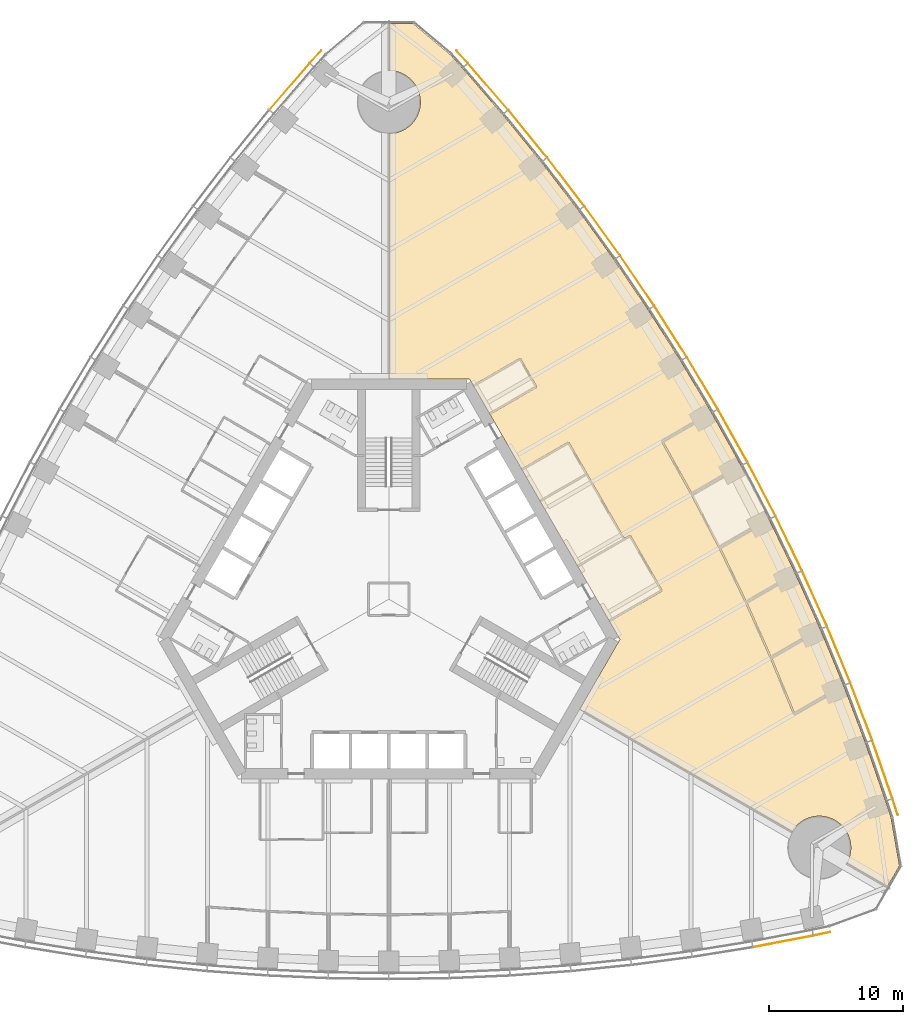
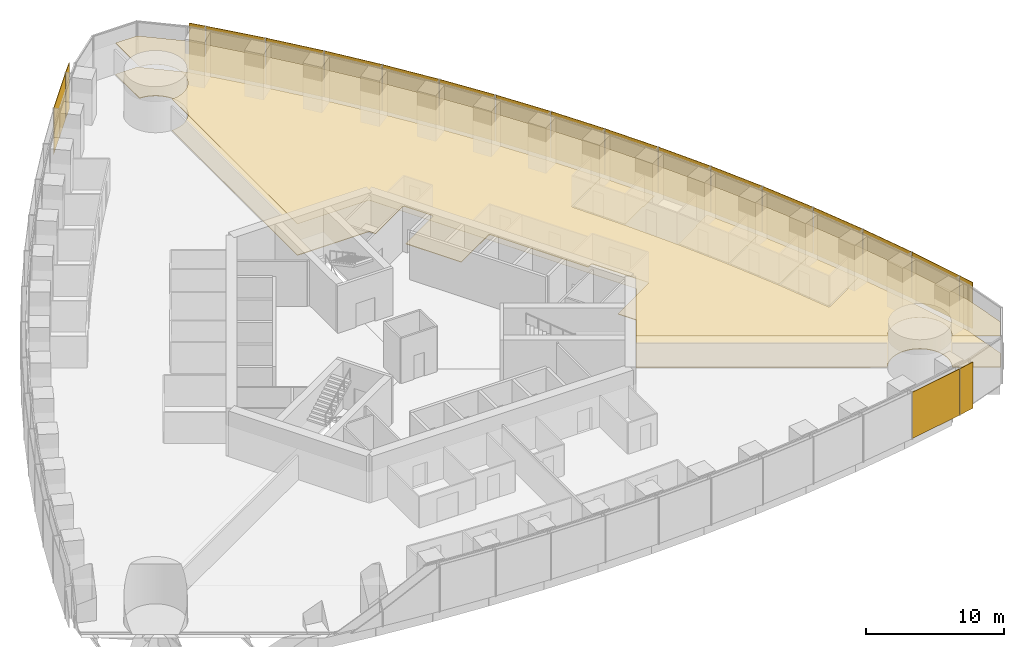
# One storey, part 16 of 18: 20 shading devices, 6 coverings.
"""IFC4 building model written with IfcOpenShell, lengths in metres."""

from ifc_helpers import new_model, si_unit, direction, frame, origin, origin_2d, place, context, subcontext, project, spatial, polyline, rectangle, outline, extrude, material, layer, layer_set, type_object, element, save


model = new_model("IFC4")

# Units and contexts
model_context = context("Model", 3, precision=1e-05, world=origin(), true_north=direction((0.0, 1.0)))
body_context = subcontext(model_context, "Body", "Model", "MODEL_VIEW")
ifc_project = project(units=[si_unit("LENGTHUNIT", "METRE"), si_unit("AREAUNIT", "SQUARE_METRE"), si_unit("VOLUMEUNIT", "CUBIC_METRE"), si_unit("PLANEANGLEUNIT", "RADIAN"), si_unit("MASSUNIT", "GRAM", prefix="KILO")], contexts=[model_context])

# Site, building, storey
site_placement = place(None, origin())
site = spatial("IfcSite", under=ifc_project, at=site_placement, CompositionType="ELEMENT")
building_placement = place(site_placement, origin())
building = spatial("IfcBuilding", under=site, at=building_placement, Name="Trefoil Bronze Tower", CompositionType="ELEMENT")
storey_placement = place(building_placement, frame((0.0, 0.0, 29.10009765625)))
storey = spatial("IfcBuildingStorey", under=building, at=storey_placement, Name="L06", CompositionType="ELEMENT", Elevation=29.10009765625)

# Shading devices
ifc_material_1 = material(Name="Perforated bronze sheet", Category="bronze")
ifc_layer_1 = layer(ifc_material_1, 0.0400390625)
ifc_layer_set_1 = layer_set([ifc_layer_1], Name="Bronze solar screen panel")
shading_device_type = type_object("IfcShadingDeviceType", Name="Bronze solar screen panel", PredefinedType="SHUTTER", material=ifc_layer_set_1)
shading_device_1_placement = place(storey_placement, frame((29.351806640625, -25.478515625, 0.0498046875), z_axis=(0.0, 0.0, 1.0), x_axis=(0.982049823817, 0.188621694249, 0.0)))
element("IfcShadingDevice", 1, at=shading_device_1_placement, inside=storey, type_object=shading_device_type, Name="Solar screen CW-A L06 F1 bay 15", PredefinedType="SHUTTER", context=body_context, shape_type="SweptSolid", body=[
    extrude(rectangle(XDim=4.55224609375, YDim=0.0400390625, at=origin_2d()), origin(), (0.0, 0.0, 1.0), 4.10009765625),
])
for number, where, z_axis, x_axis, name in (
    (2, (32.2431640625, -24.91064453125, 0.0498046875), (0.0, 0.0, 1.0), (0.978302717041, 0.207180582657, 0.0), "Solar screen CW-A L06 F1 bay 16"),
    (3, (37.69482421875, -15.468017578125, 0.0498046875), (0.0, 0.0, 1.0), (-0.309727710769, 0.950825296877, 0.0), "Solar screen CW-A L06 F2 bay 1"),
):
    element("IfcShadingDevice", number, at=place(storey_placement, frame(where, z_axis=z_axis, x_axis=x_axis)), inside=storey, type_object=shading_device_type, Name=name, PredefinedType="SHUTTER", context=body_context, shape_type="SweptSolid", body=[
        extrude(rectangle(XDim=1.260498046875, YDim=0.0400390625, at=origin_2d()), origin(), (0.0, 0.0, 1.0), 4.10009765625),
    ])
shading_device_2_placement = place(storey_placement, frame((36.740966796875, -12.68017578125, 0.0498046875), z_axis=(0.0, 0.0, 1.0), x_axis=(-0.327673732984, 0.944790942332, 0.0)))
element("IfcShadingDevice", 4, at=shading_device_2_placement, inside=storey, type_object=shading_device_type, Name="Solar screen CW-A L06 F2 bay 2", PredefinedType="SHUTTER", context=body_context, shape_type="SweptSolid", body=[
    extrude(rectangle(XDim=4.55224609375, YDim=0.0400390625, at=origin_2d()), origin(), (0.0, 0.0, 1.0), 4.10009765625),
])
shading_device_3_placement = place(storey_placement, frame((35.1748046875, -8.3701171875, 0.0498046875), z_axis=(0.0, 0.0, 1.0), x_axis=(-0.355370585687, 0.934725492767, 0.0)))
element("IfcShadingDevice", 5, at=shading_device_3_placement, inside=storey, type_object=shading_device_type, Name="Solar screen CW-A L06 F2 bay 3", PredefinedType="SHUTTER", context=body_context, shape_type="SweptSolid", body=[
    extrude(rectangle(XDim=4.5283203125, YDim=0.0400390625, at=origin_2d()), origin(), (0.0, 0.0, 1.0), 4.10009765625),
])
shading_device_4_placement = place(storey_placement, frame((33.49072265625, -4.128173828125, 0.0498046875), z_axis=(0.0, 0.0, 1.0), x_axis=(-0.382629580712, 0.923901836758, 0.0)))
element("IfcShadingDevice", 6, at=shading_device_4_placement, inside=storey, type_object=shading_device_type, Name="Solar screen CW-A L06 F2 bay 4", PredefinedType="SHUTTER", context=body_context, shape_type="SweptSolid", body=[
    extrude(rectangle(XDim=4.5087890625, YDim=0.0400390625, at=origin_2d()), origin(), (0.0, 0.0, 1.0), 4.10009765625),
])
shading_device_5_placement = place(storey_placement, frame((31.68994140625, 0.04638671875, 0.0498046875), z_axis=(0.0, 0.0, 1.0), x_axis=(-0.40945635808, 0.912329705111, 0.0)))
element("IfcShadingDevice", 7, at=shading_device_5_placement, inside=storey, type_object=shading_device_type, Name="Solar screen CW-A L06 F2 bay 5", PredefinedType="SHUTTER", context=body_context, shape_type="SweptSolid", body=[
    extrude(rectangle(XDim=4.493408203125, YDim=0.0400390625, at=origin_2d()), origin(), (0.0, 0.0, 1.0), 4.10009765625),
])
shading_device_6_placement = place(storey_placement, frame((29.77392578125, 4.154541015625, 0.0498046875), z_axis=(0.0, 0.0, 1.0), x_axis=(-0.4358553457, 0.900016731858, 0.0)))
element("IfcShadingDevice", 8, at=shading_device_6_placement, inside=storey, type_object=shading_device_type, Name="Solar screen CW-A L06 F2 bay 6", PredefinedType="SHUTTER", context=body_context, shape_type="SweptSolid", body=[
    extrude(rectangle(XDim=4.48193359375, YDim=0.0400390625, at=origin_2d()), origin(), (0.0, 0.0, 1.0), 4.10009765625),
])
shading_device_7_placement = place(storey_placement, frame((27.74365234375, 8.1962890625, 0.0498046875), z_axis=(0.0, 0.0, 1.0), x_axis=(-0.46182981834, 0.886968555752, 0.0)))
element("IfcShadingDevice", 9, at=shading_device_7_placement, inside=storey, type_object=shading_device_type, Name="Solar screen CW-A L06 F2 bay 7", PredefinedType="SHUTTER", context=body_context, shape_type="SweptSolid", body=[
    extrude(rectangle(XDim=4.474365234375, YDim=0.0400390625, at=origin_2d()), origin(), (0.0, 0.0, 1.0), 4.10009765625),
])
for number, where, z_axis, x_axis, name in (
    (10, (25.599365234375, 12.172607421875, 0.0498046875), (0.0, 0.0, 1.0), (-0.487381940453, 0.873188893722, 0.0), "Solar screen CW-A L06 F2 bay 8"),
    (11, (23.341552734375, 16.083251953125, 0.0498046875), (0.0, 0.0, 1.0), (-0.51251279404, 0.858679588639, 0.0), "Solar screen CW-A L06 F2 bay 9"),
):
    element("IfcShadingDevice", number, at=place(storey_placement, frame(where, z_axis=z_axis, x_axis=x_axis)), inside=storey, type_object=shading_device_type, Name=name, PredefinedType="SHUTTER", context=body_context, shape_type="SweptSolid", body=[
        extrude(rectangle(XDim=4.470458984375, YDim=0.0400390625, at=origin_2d()), origin(), (0.0, 0.0, 1.0), 4.10009765625),
    ])
shading_device_8_placement = place(storey_placement, frame((20.97021484375, 19.928466796875, 0.0498046875), z_axis=(0.0, 0.0, 1.0), x_axis=(-0.537222392469, 0.843440632783, 0.0)))
element("IfcShadingDevice", 12, at=shading_device_8_placement, inside=storey, type_object=shading_device_type, Name="Solar screen CW-A L06 F2 bay 10", PredefinedType="SHUTTER", context=body_context, shape_type="SweptSolid", body=[
    extrude(rectangle(XDim=4.474365234375, YDim=0.0400390625, at=origin_2d()), origin(), (0.0, 0.0, 1.0), 4.10009765625),
])
shading_device_9_placement = place(storey_placement, frame((18.48486328125, 23.707763671875, 0.0498046875), z_axis=(0.0, 0.0, 1.0), x_axis=(-0.56150968077, 0.827470167681, 0.0)))
element("IfcShadingDevice", 13, at=shading_device_9_placement, inside=storey, type_object=shading_device_type, Name="Solar screen CW-A L06 F2 bay 11", PredefinedType="SHUTTER", context=body_context, shape_type="SweptSolid", body=[
    extrude(rectangle(XDim=4.48193359375, YDim=0.0400390625, at=origin_2d()), origin(), (0.0, 0.0, 1.0), 4.10009765625),
])
shading_device_10_placement = place(storey_placement, frame((15.88525390625, 27.421142578125, 0.0498046875), z_axis=(0.0, 0.0, 1.0), x_axis=(-0.585372522213, 0.810764460394, 0.0)))
element("IfcShadingDevice", 14, at=shading_device_10_placement, inside=storey, type_object=shading_device_type, Name="Solar screen CW-A L06 F2 bay 12", PredefinedType="SHUTTER", context=body_context, shape_type="SweptSolid", body=[
    extrude(rectangle(XDim=4.493408203125, YDim=0.0400390625, at=origin_2d()), origin(), (0.0, 0.0, 1.0), 4.10009765625),
])
shading_device_11_placement = place(storey_placement, frame((13.170166015625, 31.06787109375, 0.0498046875), z_axis=(0.0, 0.0, 1.0), x_axis=(-0.608807670879, 0.793317855515, 0.0)))
element("IfcShadingDevice", 15, at=shading_device_11_placement, inside=storey, type_object=shading_device_type, Name="Solar screen CW-A L06 F2 bay 13", PredefinedType="SHUTTER", context=body_context, shape_type="SweptSolid", body=[
    extrude(rectangle(XDim=4.5087890625, YDim=0.0400390625, at=origin_2d()), origin(), (0.0, 0.0, 1.0), 4.10009765625),
])
shading_device_12_placement = place(storey_placement, frame((10.338623046875, 34.6474609375, 0.0498046875), z_axis=(0.0, 0.0, 1.0), x_axis=(-0.631810729457, 0.775122701346, 0.0)))
element("IfcShadingDevice", 16, at=shading_device_12_placement, inside=storey, type_object=shading_device_type, Name="Solar screen CW-A L06 F2 bay 14", PredefinedType="SHUTTER", context=body_context, shape_type="SweptSolid", body=[
    extrude(rectangle(XDim=4.5283203125, YDim=0.0400390625, at=origin_2d()), origin(), (0.0, 0.0, 1.0), 4.10009765625),
])
shading_device_13_placement = place(storey_placement, frame((7.38916015625, 38.15869140625, 0.0498046875), z_axis=(0.0, 0.0, 1.0), x_axis=(-0.654376090833, 0.756169248083, 0.0)))
element("IfcShadingDevice", 17, at=shading_device_13_placement, inside=storey, type_object=shading_device_type, Name="Solar screen CW-A L06 F2 bay 15", PredefinedType="SHUTTER", context=body_context, shape_type="SweptSolid", body=[
    extrude(rectangle(XDim=4.55224609375, YDim=0.0400390625, at=origin_2d()), origin(), (0.0, 0.0, 1.0), 4.10009765625),
])
for number, where, z_axis, x_axis, name in (
    (18, (5.45166015625, 40.378662109375, 0.0498046875), (0.0, 0.0, 1.0), (-0.668575006272, 0.743644714221, 0.0), "Solar screen CW-A L06 F2 bay 16"),
    (19, (-5.45166015625, 40.378662109375, 0.0498046875), (0.0, 0.0, 1.0), (-0.668575006272, -0.743644714221, 0.0), "Solar screen CW-A L06 F3 bay 1"),
):
    element("IfcShadingDevice", number, at=place(storey_placement, frame(where, z_axis=z_axis, x_axis=x_axis)), inside=storey, type_object=shading_device_type, Name=name, PredefinedType="SHUTTER", context=body_context, shape_type="SweptSolid", body=[
        extrude(rectangle(XDim=1.260498046875, YDim=0.0400390625, at=origin_2d()), origin(), (0.0, 0.0, 1.0), 4.10009765625),
    ])
shading_device_14_placement = place(storey_placement, frame((-7.38916015625, 38.15869140625, 0.0498046875), z_axis=(0.0, 0.0, 1.0), x_axis=(-0.654376090833, -0.756169248083, 0.0)))
element("IfcShadingDevice", 20, at=shading_device_14_placement, inside=storey, type_object=shading_device_type, Name="Solar screen CW-A L06 F3 bay 2", PredefinedType="SHUTTER", context=body_context, shape_type="SweptSolid", body=[
    extrude(rectangle(XDim=4.55224609375, YDim=0.0400390625, at=origin_2d()), origin(), (0.0, 0.0, 1.0), 4.10009765625),
])

# Coverings
ifc_material_2 = material(Name="Acoustic ceiling panels", Category="mineral fibre")
ifc_layer_2 = layer(ifc_material_2, 0.02001953125)
ifc_layer_set_2 = layer_set([ifc_layer_2], Name="Office ceiling 20")
covering_type_1 = type_object("IfcCoveringType", Name="Office ceiling 20", PredefinedType="CEILING", material=ifc_layer_set_2)
covering_1_placement = place(storey_placement, frame((0.0, 0.0, 2.89990234375)))
element("IfcCovering", 21, at=covering_1_placement, inside=storey, type_object=covering_type_1, Name="Ceiling L06 Open-plan office F2", PredefinedType="CEILING", context=body_context, shape_type="SweptSolid", body=[
    extrude(outline(polyline([(5.4814453125, 39.537841796875), (8.47998046875, 36.072998046875), (11.360107421875, 32.53955078125), (14.123291015625, 28.938720703125), (16.771240234375, 25.271484375), (19.3046875, 21.537841796875), (21.724609375, 17.73876953125), (24.031005859375, 13.87451171875), (26.224609375, 9.944580078125), (28.3046875, 5.949462890625), (30.271240234375, 1.888671875), (32.123291015625, -2.23828125), (33.860107421875, -6.431640625), (35.47998046875, -10.6923828125), (36.9814453125, -15.021728515625), (37.381103515625, -16.248779296875), (38.0146484375, -19.841552734375), (37.110595703125, -21.4072265625), (34.084716796875, -19.661865234375), (34.115478515625, -19.60791015625), (34.167236328125, -19.5048828125), (34.214111328125, -19.3994140625), (34.255615234375, -19.291748046875), (34.291748046875, -19.18212890625), (34.322509765625, -19.071044921875), (34.347900390625, -18.95849609375), (34.367431640625, -18.8447265625), (34.381591796875, -18.730224609375), (34.39013671875, -18.615234375), (34.392822265625, -18.5), (34.39013671875, -18.384765625), (34.381591796875, -18.269775390625), (34.367431640625, -18.1552734375), (34.347900390625, -18.04150390625), (34.322509765625, -17.928955078125), (34.291748046875, -17.81787109375), (34.255615234375, -17.708251953125), (34.214111328125, -17.6005859375), (34.167236328125, -17.4951171875), (34.115478515625, -17.39208984375), (34.05859375, -17.2919921875), (33.996826171875, -17.1943359375), (33.930419921875, -17.10009765625), (33.859619140625, -17.00927734375), (33.7841796875, -16.921875), (33.70458984375, -16.83837890625), (33.62109375, -16.7587890625), (33.53369140625, -16.683349609375), (33.44287109375, -16.612548828125), (33.348388671875, -16.5458984375), (33.251220703125, -16.484375), (33.150634765625, -16.427490234375), (33.047607421875, -16.37548828125), (32.942138671875, -16.328857421875), (32.834716796875, -16.287353515625), (32.72509765625, -16.251220703125), (32.614013671875, -16.220458984375), (32.50146484375, -16.1953125), (32.3876953125, -16.17529296875), (32.273193359375, -16.161376953125), (32.158203125, -16.15283203125), (32.04296875, -16.14990234375), (31.927490234375, -16.15283203125), (31.8125, -16.161376953125), (31.697998046875, -16.17529296875), (31.58447265625, -16.1953125), (31.471923828125, -16.220458984375), (31.36083984375, -16.251220703125), (31.251220703125, -16.287353515625), (31.1435546875, -16.328857421875), (31.0380859375, -16.37548828125), (30.935302734375, -16.427490234375), (30.834716796875, -16.484375), (30.7373046875, -16.5458984375), (30.64306640625, -16.612548828125), (30.552001953125, -16.683349609375), (30.46484375, -16.7587890625), (30.381103515625, -16.83837890625), (30.3017578125, -16.921875), (30.226318359375, -17.00927734375), (30.155517578125, -17.10009765625), (30.089111328125, -17.1943359375), (30.02734375, -17.2919921875), (30.0146484375, -17.31396484375), (14.205810546875, -8.194580078125), (17.205078125, -3.0), (6.00439453125, 16.39990234375), (0.006103515625, 16.39990234375), (0.012939453125, 34.650390625), (0.115234375, 34.65283203125), (0.230224609375, 34.661376953125), (0.3447265625, 34.67529296875), (0.45849609375, 34.6953125), (0.571044921875, 34.720458984375), (0.68212890625, 34.751220703125), (0.791748046875, 34.787353515625), (0.8994140625, 34.828857421875), (1.0048828125, 34.87548828125), (1.10791015625, 34.927490234375), (1.2080078125, 34.984375), (1.3056640625, 35.0458984375), (1.39990234375, 35.112548828125), (1.49072265625, 35.183349609375), (1.578125, 35.2587890625), (1.66162109375, 35.33837890625), (1.7412109375, 35.421875), (1.816650390625, 35.50927734375), (1.887451171875, 35.60009765625), (1.9541015625, 35.6943359375), (2.015625, 35.7919921875), (2.072509765625, 35.89208984375), (2.12451171875, 35.9951171875), (2.171142578125, 36.1005859375), (2.212646484375, 36.208251953125), (2.248779296875, 36.31787109375), (2.279541015625, 36.428955078125), (2.3046875, 36.54150390625), (2.32470703125, 36.6552734375), (2.338623046875, 36.769775390625), (2.34716796875, 36.884765625), (2.35009765625, 37.0), (2.34716796875, 37.115234375), (2.338623046875, 37.230224609375), (2.32470703125, 37.3447265625), (2.3046875, 37.45849609375), (2.279541015625, 37.571044921875), (2.248779296875, 37.68212890625), (2.212646484375, 37.791748046875), (2.171142578125, 37.8994140625), (2.12451171875, 38.0048828125), (2.072509765625, 38.10791015625), (2.015625, 38.2080078125), (1.9541015625, 38.3056640625), (1.887451171875, 38.39990234375), (1.816650390625, 38.49072265625), (1.7412109375, 38.578125), (1.66162109375, 38.66162109375), (1.578125, 38.7412109375), (1.49072265625, 38.816650390625), (1.39990234375, 38.887451171875), (1.3056640625, 38.9541015625), (1.2080078125, 39.015625), (1.10791015625, 39.072509765625), (1.0048828125, 39.12451171875), (0.8994140625, 39.171142578125), (0.791748046875, 39.212646484375), (0.68212890625, 39.248779296875), (0.571044921875, 39.279541015625), (0.45849609375, 39.3046875), (0.3447265625, 39.32470703125), (0.230224609375, 39.338623046875), (0.115234375, 39.34716796875), (0.014892578125, 39.349609375), (0.01611328125, 42.84228515625), (1.82421875, 42.84228515625), (4.618896484375, 40.497314453125), (5.4814453125, 39.537841796875)])), origin(), (0.0, 0.0, 1.0), 0.02001953125),
])
ifc_material_3 = material(Name="Raised access floor panels", Category="steel")
ifc_layer_3 = layer(ifc_material_3, 0.050048828125)
ifc_layer_set_3 = layer_set([ifc_layer_3], Name="Raised access floor 150")
covering_type_2 = type_object("IfcCoveringType", Name="Raised access floor 150", PredefinedType="FLOORING", material=ifc_layer_set_3)
covering_2_placement = place(storey_placement, frame((0.0, 0.0, 0.099853515625)))
element("IfcCovering", 22, at=covering_2_placement, inside=storey, type_object=covering_type_2, Name="Raised floor L06 Office F2", PredefinedType="FLOORING", context=body_context, shape_type="SweptSolid", body=[
    extrude(outline(polyline([(24.031005859375, 13.87451171875), (26.224609375, 9.944580078125), (24.855712890625, 9.154296875), (24.82568359375, 9.206298828125), (22.566650390625, 7.902099609375), (20.431640625, 11.72705078125), (22.69287109375, 13.032470703125), (22.662841796875, 13.08447265625), (24.031005859375, 13.87451171875)])), origin(), (0.0, 0.0, 1.0), 0.050048828125),
])
covering_3_placement = place(storey_placement, frame((0.0, 0.0, 0.099853515625)))
element("IfcCovering", 23, at=covering_3_placement, inside=storey, type_object=covering_type_2, Name="Raised floor L06 Office F2", PredefinedType="FLOORING", context=body_context, shape_type="SweptSolid", body=[
    extrude(outline(polyline([(28.3046875, 5.949462890625), (30.271240234375, 1.888671875), (28.897705078125, 1.095703125), (28.867919921875, 1.147705078125), (26.616455078125, -0.152099609375), (24.702392578125, 3.80029296875), (26.964111328125, 5.106201171875), (26.93408203125, 5.158203125), (28.3046875, 5.949462890625)])), origin(), (0.0, 0.0, 1.0), 0.050048828125),
])
covering_4_placement = place(storey_placement, frame((0.0, 0.0, 0.099853515625)))
element("IfcCovering", 24, at=covering_4_placement, inside=storey, type_object=covering_type_2, Name="Raised floor L06 Office F2", PredefinedType="FLOORING", context=body_context, shape_type="SweptSolid", body=[
    extrude(outline(polyline([(32.123291015625, -2.23828125), (30.745849609375, -3.033447265625), (30.7158203125, -2.9814453125), (28.47021484375, -4.278076171875), (26.66748046875, -0.26123046875), (28.927734375, 1.043701171875), (28.897705078125, 1.095703125), (30.271240234375, 1.888671875), (32.123291015625, -2.23828125)])), origin(), (0.0, 0.0, 1.0), 0.050048828125),
])
covering_5_placement = place(storey_placement, frame((0.0, 0.0, 0.099853515625)))
element("IfcCovering", 25, at=covering_5_placement, inside=storey, type_object=covering_type_2, Name="Raised floor L06 Meeting room F2", PredefinedType="FLOORING", context=body_context, shape_type="SweptSolid", body=[
    extrude(outline(polyline([(32.123291015625, -2.23828125), (33.860107421875, -6.431640625), (32.477294921875, -7.22998046875), (32.447265625, -7.177978515625), (30.208740234375, -8.470458984375), (28.518310546875, -4.388916015625), (30.77587890625, -3.08544921875), (30.745849609375, -3.033447265625), (32.123291015625, -2.23828125)])), origin(), (0.0, 0.0, 1.0), 0.050048828125),
])
covering_6_placement = place(storey_placement, frame((0.0, 0.0, 0.099853515625)))
element("IfcCovering", 26, at=covering_6_placement, inside=storey, type_object=covering_type_2, Name="Raised floor L06 Open-plan office F2", PredefinedType="FLOORING", context=body_context, shape_type="SweptSolid", body=[
    extrude(outline(polyline([(21.724609375, 17.73876953125), (24.031005859375, 13.87451171875), (22.662841796875, 13.08447265625), (22.6328125, 13.13623046875), (20.320556640625, 11.80126953125), (20.3505859375, 11.74951171875), (20.298095703125, 11.72021484375), (22.4912109375, 7.791015625), (24.570556640625, 3.797607421875), (26.536376953125, -0.26171875), (28.3876953125, -4.386962890625), (30.1240234375, -8.57958984375), (30.179443359375, -8.556640625), (30.20947265625, -8.608642578125), (32.507080078125, -7.281982421875), (32.477294921875, -7.22998046875), (33.860107421875, -6.431640625), (35.47998046875, -10.6923828125), (36.9814453125, -15.021728515625), (37.381103515625, -16.248779296875), (38.0146484375, -19.841552734375), (37.110595703125, -21.4072265625), (34.084716796875, -19.661865234375), (34.115478515625, -19.60791015625), (34.167236328125, -19.5048828125), (34.214111328125, -19.3994140625), (34.255615234375, -19.291748046875), (34.291748046875, -19.18212890625), (34.322509765625, -19.071044921875), (34.347900390625, -18.95849609375), (34.367431640625, -18.8447265625), (34.381591796875, -18.730224609375), (34.39013671875, -18.615234375), (34.392822265625, -18.5), (34.39013671875, -18.384765625), (34.381591796875, -18.269775390625), (34.367431640625, -18.1552734375), (34.347900390625, -18.04150390625), (34.322509765625, -17.928955078125), (34.291748046875, -17.81787109375), (34.255615234375, -17.708251953125), (34.214111328125, -17.6005859375), (34.167236328125, -17.4951171875), (34.115478515625, -17.39208984375), (34.05859375, -17.2919921875), (33.996826171875, -17.1943359375), (33.930419921875, -17.10009765625), (33.859619140625, -17.00927734375), (33.7841796875, -16.921875), (33.70458984375, -16.83837890625), (33.62109375, -16.7587890625), (33.53369140625, -16.683349609375), (33.44287109375, -16.612548828125), (33.348388671875, -16.5458984375), (33.251220703125, -16.484375), (33.150634765625, -16.427490234375), (33.047607421875, -16.37548828125), (32.942138671875, -16.328857421875), (32.834716796875, -16.287353515625), (32.72509765625, -16.251220703125), (32.614013671875, -16.220458984375), (32.50146484375, -16.1953125), (32.3876953125, -16.17529296875), (32.273193359375, -16.161376953125), (32.158203125, -16.15283203125), (32.04296875, -16.14990234375), (31.927490234375, -16.15283203125), (31.8125, -16.161376953125), (31.697998046875, -16.17529296875), (31.58447265625, -16.1953125), (31.471923828125, -16.220458984375), (31.36083984375, -16.251220703125), (31.251220703125, -16.287353515625), (31.1435546875, -16.328857421875), (31.0380859375, -16.37548828125), (30.935302734375, -16.427490234375), (30.834716796875, -16.484375), (30.7373046875, -16.5458984375), (30.64306640625, -16.612548828125), (30.552001953125, -16.683349609375), (30.46484375, -16.7587890625), (30.381103515625, -16.83837890625), (30.3017578125, -16.921875), (30.226318359375, -17.00927734375), (30.155517578125, -17.10009765625), (30.089111328125, -17.1943359375), (30.02734375, -17.2919921875), (30.0146484375, -17.31396484375), (14.205810546875, -8.194580078125), (17.205078125, -3.0), (16.434814453125, -1.665771484375), (20.331787109375, 0.584228515625), (20.302001953125, 0.63623046875), (20.353759765625, 0.666259765625), (18.00390625, 4.736572265625), (17.951904296875, 4.70654296875), (17.921875, 4.75830078125), (17.540771484375, 4.538330078125), (13.4208984375, 11.674560546875), (13.368896484375, 11.64453125), (13.3388671875, 11.6962890625), (9.874755859375, 9.6962890625), (7.53466796875, 13.74951171875), (10.998779296875, 15.74951171875), (10.96875, 15.801513671875), (11.020751953125, 15.831298828125), (9.82080078125, 17.909912109375), (9.768798828125, 17.8798828125), (9.73876953125, 17.931884765625), (6.274658203125, 15.931884765625), (6.00439453125, 16.39990234375), (0.006103515625, 16.39990234375), (0.012939453125, 34.650390625), (0.115234375, 34.65283203125), (0.230224609375, 34.661376953125), (0.3447265625, 34.67529296875), (0.45849609375, 34.6953125), (0.571044921875, 34.720458984375), (0.68212890625, 34.751220703125), (0.791748046875, 34.787353515625), (0.8994140625, 34.828857421875), (1.0048828125, 34.87548828125), (1.10791015625, 34.927490234375), (1.2080078125, 34.984375), (1.3056640625, 35.0458984375), (1.39990234375, 35.112548828125), (1.49072265625, 35.183349609375), (1.578125, 35.2587890625), (1.66162109375, 35.33837890625), (1.7412109375, 35.421875), (1.816650390625, 35.50927734375), (1.887451171875, 35.60009765625), (1.9541015625, 35.6943359375), (2.015625, 35.7919921875), (2.072509765625, 35.89208984375), (2.12451171875, 35.9951171875), (2.171142578125, 36.1005859375), (2.212646484375, 36.208251953125), (2.248779296875, 36.31787109375), (2.279541015625, 36.428955078125), (2.3046875, 36.54150390625), (2.32470703125, 36.6552734375), (2.338623046875, 36.769775390625), (2.34716796875, 36.884765625), (2.35009765625, 37.0), (2.34716796875, 37.115234375), (2.338623046875, 37.230224609375), (2.32470703125, 37.3447265625), (2.3046875, 37.45849609375), (2.279541015625, 37.571044921875), (2.248779296875, 37.68212890625), (2.212646484375, 37.791748046875), (2.171142578125, 37.8994140625), (2.12451171875, 38.0048828125), (2.072509765625, 38.10791015625), (2.015625, 38.2080078125), (1.9541015625, 38.3056640625), (1.887451171875, 38.39990234375), (1.816650390625, 38.49072265625), (1.7412109375, 38.578125), (1.66162109375, 38.66162109375), (1.578125, 38.7412109375), (1.49072265625, 38.816650390625), (1.39990234375, 38.887451171875), (1.3056640625, 38.9541015625), (1.2080078125, 39.015625), (1.10791015625, 39.072509765625), (1.0048828125, 39.12451171875), (0.8994140625, 39.171142578125), (0.791748046875, 39.212646484375), (0.68212890625, 39.248779296875), (0.571044921875, 39.279541015625), (0.45849609375, 39.3046875), (0.3447265625, 39.32470703125), (0.230224609375, 39.338623046875), (0.115234375, 39.34716796875), (0.014892578125, 39.349609375), (0.01611328125, 42.84228515625), (1.82421875, 42.84228515625), (4.618896484375, 40.497314453125), (5.4814453125, 39.537841796875), (8.47998046875, 36.072998046875), (11.360107421875, 32.53955078125), (14.123291015625, 28.938720703125), (16.771240234375, 25.271484375), (19.3046875, 21.537841796875), (21.724609375, 17.73876953125)])), origin(), (0.0, 0.0, 1.0), 0.050048828125),
])

save(model, "model.ifc")
